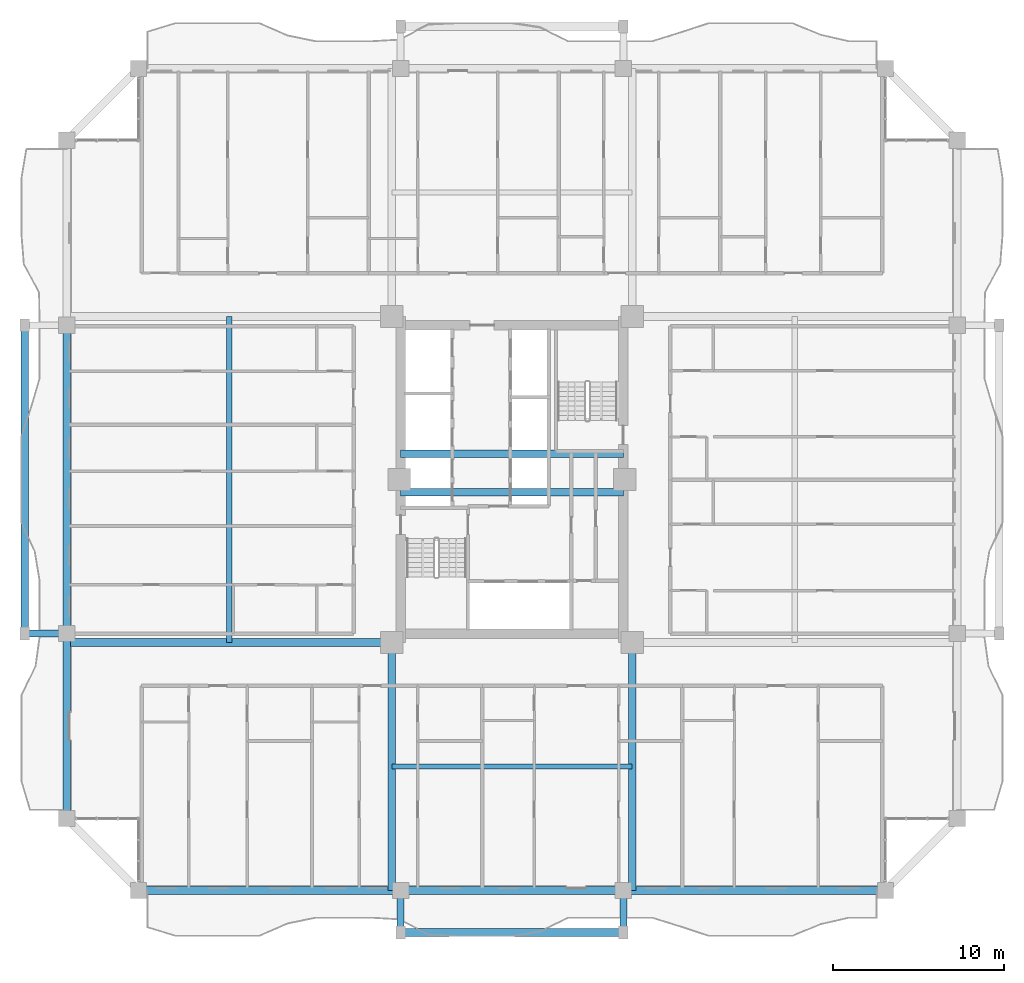
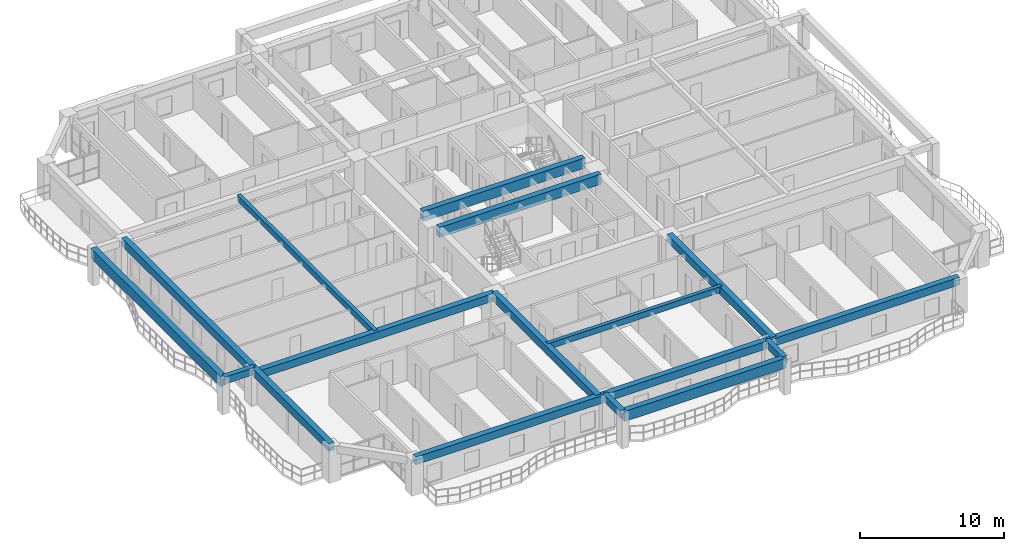
# One storey, part 3 of 26: 17 beams.
"""IFC4 building model written with IfcOpenShell, lengths in metres."""

from ifc_helpers import new_model, si_unit, direction, frame, origin, origin_2d, place, context, subcontext, project, spatial, rectangle, extrude, source, transform, mapped, material, material_profile, profile_set, type_object, element, save


model = new_model("IFC4")

# Units and contexts
model_context = context("Model", 3, precision=1e-05, world=origin(), true_north=direction((0.0, 1.0)))
body_context = subcontext(model_context, "Body", "Model", "MODEL_VIEW")
ifc_project = project(units=[si_unit("LENGTHUNIT", "METRE"), si_unit("AREAUNIT", "SQUARE_METRE"), si_unit("VOLUMEUNIT", "CUBIC_METRE"), si_unit("PLANEANGLEUNIT", "RADIAN"), si_unit("MASSUNIT", "GRAM", prefix="KILO")], contexts=[model_context])

# Site, building, storey
site_placement = place(None, origin())
site = spatial("IfcSite", under=ifc_project, at=site_placement, CompositionType="ELEMENT")
building_placement = place(site_placement, origin())
building = spatial("IfcBuilding", under=site, at=building_placement, Name="Saelheon Loggia Tower", CompositionType="ELEMENT")
storey_placement = place(building_placement, frame((0.0, 0.0, 89.85009765625)))
storey = spatial("IfcBuildingStorey", under=building, at=storey_placement, Name="L28", CompositionType="ELEMENT", Elevation=89.85009765625)

# Beams
ifc_material_1 = material(Name="Concrete C50/60", Category="concrete")
ifc_material_profile_1 = material_profile(ifc_material_1, rectangle(XDim=0.449951171875, YDim=0.85009765625, at=origin_2d()), Name="RC-450x850")
ifc_profile_set_1 = profile_set([ifc_material_profile_1], Name="Concrete C50/60")
beam_type_1 = type_object("IfcBeamType", Name="Beam_CoreLintel_RC450x850", PredefinedType="LINTEL", material=ifc_profile_set_1)
shared_shape_1 = source(origin(), body_context, "Body", "SweptSolid", [
    extrude(rectangle(XDim=0.449951171875, YDim=0.85009765625, at=origin_2d()), origin(), (0.0, 0.0, 1.0), 13.0),
])
for number, where, z_axis, x_axis, name in (
    (1, (31.5, 26.25, 2.574951171875), (1.0, 0.0, 0.0), (0.0, 1.0, 0.0), "L28 Core Coupling Lintel 1"),
    (2, (31.5, 28.5, 2.574951171875), (1.0, 0.0, 0.0), (0.0, 1.0, 0.0), "L28 Core Coupling Lintel 2"),
):
    element("IfcBeam", number, at=place(storey_placement, frame(where, z_axis=z_axis, x_axis=x_axis)), inside=storey, type_object=beam_type_1, Name=name, PredefinedType="LINTEL", context=body_context, shape_type="MappedRepresentation", body=[
        mapped(shared_shape_1, transform((0.0, 0.0, 0.0), scale=1.0)),
    ])
ifc_material_2 = material(Name="Precast Concrete C45/55", Category="concrete")
ifc_material_profile_2 = material_profile(ifc_material_2, rectangle(XDim=0.449951171875, YDim=0.85009765625, at=origin_2d()), Name="RC-450x850")
ifc_profile_set_2 = profile_set([ifc_material_profile_2], Name="Precast Concrete C45/55")
beam_type_2 = type_object("IfcBeamType", Name="Beam_LoggiaSpandrel_RC450x850", PredefinedType="SPANDREL", material=ifc_profile_set_2)
beam_1_placement = place(storey_placement, frame((31.5, 0.550048828125, 2.574951171875), z_axis=(1.0, 0.0, 0.0), x_axis=(0.0, 1.0, 0.0)))
element("IfcBeam", 3, at=beam_1_placement, inside=storey, type_object=beam_type_2, Name="L28 Loggia Spandrel Beam S", PredefinedType="SPANDREL", context=body_context, shape_type="MappedRepresentation", body=[
    mapped(shared_shape_1, transform((0.0, 0.0, 0.0), scale=1.0)),
])
ifc_material_profile_3 = material_profile(ifc_material_2, rectangle(XDim=0.39990234375, YDim=0.60009765625, at=origin_2d()), Name="RC-400x600")
ifc_profile_set_3 = profile_set([ifc_material_profile_3], Name="Precast Concrete C45/55")
beam_type_3 = type_object("IfcBeamType", Name="Beam_LoggiaTie_RC400x600", PredefinedType="BEAM", material=ifc_profile_set_3)
shared_shape_2 = source(origin(), body_context, "Body", "SweptSolid", [
    extrude(rectangle(XDim=0.39990234375, YDim=0.60009765625, at=origin_2d()), origin(), (0.0, 0.0, 1.0), 2.449951171875),
])
for number, where, z_axis, x_axis, name in (
    (4, (31.5, 3.0, 2.699951171875), (0.0, -1.0, 0.0), (1.0, 0.0, 0.0), "L28 Loggia Frame Tie Beam LP-S1"),
    (5, (44.5, 3.0, 2.699951171875), (0.0, -1.0, 0.0), (1.0, 0.0, 0.0), "L28 Loggia Frame Tie Beam LP-S2"),
    (6, (12.0, 18.0, 2.699951171875), (-1.0, 0.0, 0.0), (0.0, -1.0, 0.0), "L28 Loggia Frame Tie Beam LP-W1"),
):
    element("IfcBeam", number, at=place(storey_placement, frame(where, z_axis=z_axis, x_axis=x_axis)), inside=storey, type_object=beam_type_3, Name=name, PredefinedType="BEAM", context=body_context, shape_type="MappedRepresentation", body=[
        mapped(shared_shape_2, transform((0.0, 0.0, 0.0), scale=1.0)),
    ])
shared_shape_3 = source(origin(), body_context, "Body", "SweptSolid", [
    extrude(rectangle(XDim=0.449951171875, YDim=0.85009765625, at=origin_2d()), origin(), (0.0, 0.0, 1.0), 18.0),
])
beam_2_placement = place(storey_placement, frame((9.550048828125, 18.0, 2.574951171875), z_axis=(0.0, 1.0, 0.0), x_axis=(-1.0, 0.0, 0.0)))
element("IfcBeam", 7, at=beam_2_placement, inside=storey, type_object=beam_type_2, Name="L28 Loggia Spandrel Beam W", PredefinedType="SPANDREL", context=body_context, shape_type="MappedRepresentation", body=[
    mapped(shared_shape_3, transform((0.0, 0.0, 0.0), scale=1.0)),
])
ifc_material_3 = material(Name="Concrete C40/50", Category="concrete")
ifc_material_profile_4 = material_profile(ifc_material_3, rectangle(XDim=0.449951171875, YDim=0.64990234375, at=origin_2d()), Name="RC-450x650")
ifc_profile_set_4 = profile_set([ifc_material_profile_4], Name="Concrete C40/50")
beam_type_4 = type_object("IfcBeamType", Name="Beam_PerimTower_RC450x650", PredefinedType="BEAM", material=ifc_profile_set_4)
shared_shape_4 = source(origin(), body_context, "Body", "SweptSolid", [
    extrude(rectangle(XDim=0.449951171875, YDim=0.64990234375, at=origin_2d()), origin(), (0.0, 0.0, 1.0), 15.300048828125),
])
for number, where, z_axis, x_axis, name in (
    (8, (16.199951171875, 3.0, 2.6748046875), (1.0, 0.0, 0.0), (0.0, 1.0, 0.0), "L28 Perimeter Frame Girder 01"),
    (9, (44.5, 3.0, 2.6748046875), (1.0, 0.0, 0.0), (0.0, 1.0, 0.0), "L28 Perimeter Frame Girder 03"),
):
    element("IfcBeam", number, at=place(storey_placement, frame(where, z_axis=z_axis, x_axis=x_axis)), inside=storey, type_object=beam_type_4, Name=name, PredefinedType="BEAM", context=body_context, shape_type="MappedRepresentation", body=[
        mapped(shared_shape_4, transform((0.0, 0.0, 0.0), scale=1.0)),
    ])
shared_shape_5 = source(origin(), body_context, "Body", "SweptSolid", [
    extrude(rectangle(XDim=0.449951171875, YDim=0.64990234375, at=origin_2d()), origin(), (0.0, 0.0, 1.0), 13.0),
])
beam_3_placement = place(storey_placement, frame((31.5, 3.0, 2.6748046875), z_axis=(1.0, 0.0, 0.0), x_axis=(0.0, 1.0, 0.0)))
element("IfcBeam", 10, at=beam_3_placement, inside=storey, type_object=beam_type_4, Name="L28 Perimeter Frame Girder 02", PredefinedType="BEAM", context=body_context, shape_type="MappedRepresentation", body=[
    mapped(shared_shape_5, transform((0.0, 0.0, 0.0), scale=1.0)),
])
shared_shape_6 = source(origin(), body_context, "Body", "SweptSolid", [
    extrude(rectangle(XDim=0.449951171875, YDim=0.64990234375, at=origin_2d()), origin(), (0.0, 0.0, 1.0), 10.800048828125),
])
beam_4_placement = place(storey_placement, frame((12.0, 18.0, 2.6748046875), z_axis=(0.0, -1.0, 0.0), x_axis=(1.0, 0.0, 0.0)))
element("IfcBeam", 11, at=beam_4_placement, inside=storey, type_object=beam_type_4, Name="L28 Perimeter Frame Girder 15", PredefinedType="BEAM", context=body_context, shape_type="MappedRepresentation", body=[
    mapped(shared_shape_6, transform((0.0, 0.0, 0.0), scale=1.0)),
])
shared_shape_7 = source(origin(), body_context, "Body", "SweptSolid", [
    extrude(rectangle(XDim=0.449951171875, YDim=0.64990234375, at=origin_2d()), origin(), (0.0, 0.0, 1.0), 18.0),
])
beam_5_placement = place(storey_placement, frame((12.0, 36.0, 2.6748046875), z_axis=(0.0, -1.0, 0.0), x_axis=(1.0, 0.0, 0.0)))
element("IfcBeam", 12, at=beam_5_placement, inside=storey, type_object=beam_type_4, Name="L28 Perimeter Frame Girder 14", PredefinedType="BEAM", context=body_context, shape_type="MappedRepresentation", body=[
    mapped(shared_shape_7, transform((0.0, 0.0, 0.0), scale=1.0)),
])
ifc_material_profile_5 = material_profile(ifc_material_3, rectangle(XDim=0.449951171875, YDim=0.64990234375, at=origin_2d()), Name="RC-450x650")
ifc_profile_set_5 = profile_set([ifc_material_profile_5], Name="Concrete C40/50")
beam_type_5 = type_object("IfcBeamType", Name="Beam_TowerGirder_RC450x650", PredefinedType="BEAM", material=ifc_profile_set_5)
shared_shape_8 = source(origin(), body_context, "Body", "SweptSolid", [
    extrude(rectangle(XDim=0.449951171875, YDim=0.64990234375, at=origin_2d()), origin(), (0.0, 0.0, 1.0), 14.47998046875),
])
for number, where, z_axis, x_axis, name in (
    (13, (30.97998046875, 17.47998046875, 2.6748046875), (0.0, -1.0, 0.0), (1.0, 0.0, 0.0), "L28 Radial Floor Girder RAD-SW-S"),
    (14, (45.02001953125, 17.47998046875, 2.6748046875), (0.0, -1.0, 0.0), (1.0, 0.0, 0.0), "L28 Radial Floor Girder RAD-SE-S"),
):
    element("IfcBeam", number, at=place(storey_placement, frame(where, z_axis=z_axis, x_axis=x_axis)), inside=storey, type_object=beam_type_5, Name=name, PredefinedType="BEAM", context=body_context, shape_type="MappedRepresentation", body=[
        mapped(shared_shape_8, transform((0.0, 0.0, 0.0), scale=1.0)),
    ])
shared_shape_9 = source(origin(), body_context, "Body", "SweptSolid", [
    extrude(rectangle(XDim=0.449951171875, YDim=0.64990234375, at=origin_2d()), origin(), (0.0, 0.0, 1.0), 18.97998046875),
])
beam_6_placement = place(storey_placement, frame((30.97998046875, 17.47998046875, 2.6748046875), z_axis=(-1.0, 0.0, 0.0), x_axis=(0.0, -1.0, 0.0)))
element("IfcBeam", 15, at=beam_6_placement, inside=storey, type_object=beam_type_5, Name="L28 Radial Floor Girder RAD-SW-W", PredefinedType="BEAM", context=body_context, shape_type="MappedRepresentation", body=[
    mapped(shared_shape_9, transform((0.0, 0.0, 0.0), scale=1.0)),
])
ifc_material_profile_6 = material_profile(ifc_material_3, rectangle(XDim=0.300048828125, YDim=0.5, at=origin_2d()), Name="RC-300x500")
ifc_profile_set_6 = profile_set([ifc_material_profile_6], Name="Concrete C40/50")
beam_type_6 = type_object("IfcBeamType", Name="Beam_Joist_RC300x500", PredefinedType="JOIST", material=ifc_profile_set_6)
shared_shape_10 = source(origin(), body_context, "Body", "SweptSolid", [
    extrude(rectangle(XDim=0.300048828125, YDim=0.5, at=origin_2d()), origin(), (0.0, 0.0, 1.0), 14.0400390625),
])
beam_7_placement = place(storey_placement, frame((30.97998046875, 10.239990234375, 2.75), z_axis=(1.0, 0.0, 0.0), x_axis=(0.0, 1.0, 0.0)))
element("IfcBeam", 16, at=beam_7_placement, inside=storey, type_object=beam_type_6, Name="L28 South Floor Joist", PredefinedType="JOIST", context=body_context, shape_type="MappedRepresentation", body=[
    mapped(shared_shape_10, transform((0.0, 0.0, 0.0), scale=1.0)),
])
shared_shape_11 = source(origin(), body_context, "Body", "SweptSolid", [
    extrude(rectangle(XDim=0.300048828125, YDim=0.5, at=origin_2d()), origin(), (0.0, 0.0, 1.0), 19.0400390625),
])
beam_8_placement = place(storey_placement, frame((21.489990234375, 17.47998046875, 2.75), z_axis=(0.0, 1.0, 0.0), x_axis=(-1.0, 0.0, 0.0)))
element("IfcBeam", 17, at=beam_8_placement, inside=storey, type_object=beam_type_6, Name="L28 West Floor Joist", PredefinedType="JOIST", context=body_context, shape_type="MappedRepresentation", body=[
    mapped(shared_shape_11, transform((0.0, 0.0, 0.0), scale=1.0)),
])

save(model, "model.ifc")
